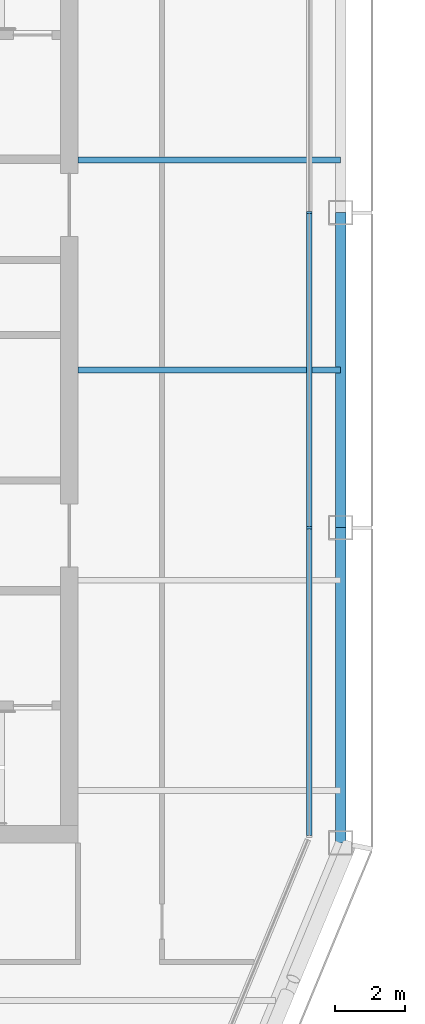
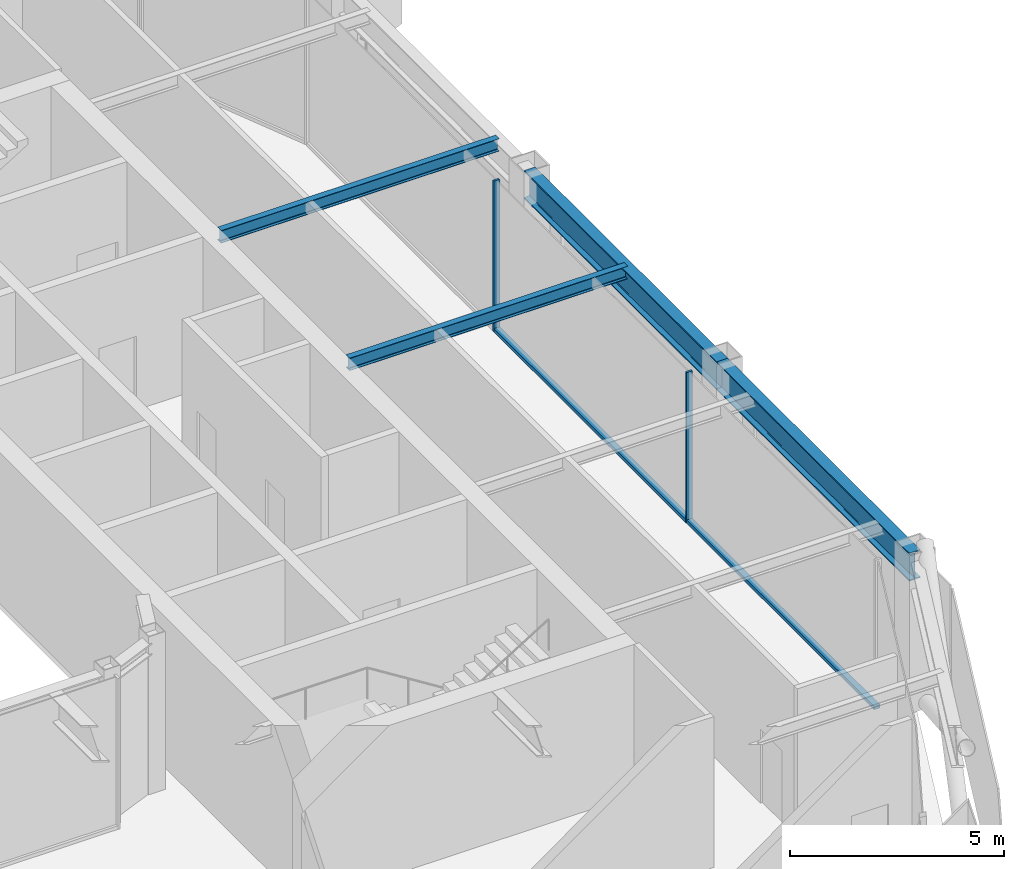
# One storey, part 6 of 21: 4 beams, 4 members, 1 element without a shape of its own.
"""IFC4 building model written with IfcOpenShell, lengths in metres."""

from ifc_helpers import new_model, si_unit, direction, frame, origin, origin_2d, place, context, subcontext, project, spatial, rectangle, i_section, extrude, material, layer, layer_set, material_profile, profile_set, type_object, element, aggregate, save


model = new_model("IFC4")

# Units and contexts
model_context = context("Model", 3, precision=1e-05, world=origin(), true_north=direction((0.0, 1.0)))
body_context = subcontext(model_context, "Body", "Model", "MODEL_VIEW")
ifc_project = project(units=[si_unit("LENGTHUNIT", "METRE"), si_unit("AREAUNIT", "SQUARE_METRE"), si_unit("VOLUMEUNIT", "CUBIC_METRE"), si_unit("PLANEANGLEUNIT", "RADIAN"), si_unit("MASSUNIT", "GRAM", prefix="KILO")], contexts=[model_context])

# Site, building, storey
site_placement = place(None, origin())
site = spatial("IfcSite", under=ifc_project, at=site_placement, CompositionType="ELEMENT")
building_placement = place(site_placement, origin())
building = spatial("IfcBuilding", under=site, at=building_placement, Name="Siwar Civic Tower", CompositionType="ELEMENT")
storey_placement = place(building_placement, frame((0.0, 0.0, 343.699951171875)))
storey = spatial("IfcBuildingStorey", under=building, at=storey_placement, Name="L74", CompositionType="ELEMENT", Elevation=343.699951171875)

# Curtain wall, members
ifc_material_1 = material(Name="Aluminium and glass", Category="aluminium")
ifc_layer = layer(ifc_material_1, 0.159912109375)
ifc_layer_set = layer_set([ifc_layer], Name="Aluminium and glass")
curtain_wall_type = type_object("IfcCurtainWallType", Name="ENV-CW-D", PredefinedType="NOTDEFINED", material=ifc_layer_set)
curtain_wall_placement = place(storey_placement, origin())
curtain_wall = element("IfcCurtainWall", 1, at=curtain_wall_placement, inside=storey, type_object=curtain_wall_type, Name="Curtain wall D E", PredefinedType="NOTDEFINED")
ifc_material_2 = material(Name="Aluminium 6063-T6", Category="aluminium")
ifc_material_profile_1 = material_profile(ifc_material_2, rectangle(XDim=0.159912109375, YDim=0.06005859375, at=origin_2d()), Name="AL 160x60")
ifc_profile_set_1 = profile_set([ifc_material_profile_1], Name="Aluminium 6063-T6")
member_type_1 = type_object("IfcMemberType", Name="ENV-MULLION-D", PredefinedType="MULLION", material=ifc_profile_set_1)
member_1_placement = place(storey_placement, frame((23.85009765625, -4.5, 0.0), z_axis=(0.0, 0.0, 1.0), x_axis=(-1.0, 0.0, 0.0)))
member_1 = element("IfcMember", 2, at=member_1_placement, type_object=member_type_1, Name="Mullion D E 2", PredefinedType="MULLION", context=body_context, shape_type="SweptSolid", body=[
    extrude(rectangle(XDim=0.159912109375, YDim=0.06005859375, at=origin_2d()), origin(), (0.0, 0.0, 1.0), 4.300048828125),
])
member_2_placement = place(storey_placement, frame((23.85009765625, 4.5, 0.0), z_axis=(0.0, 0.0, 1.0), x_axis=(-1.0, 0.0, 0.0)))
member_2 = element("IfcMember", 3, at=member_2_placement, type_object=member_type_1, Name="Mullion D E 3", PredefinedType="MULLION", context=body_context, shape_type="SweptSolid", body=[
    extrude(rectangle(XDim=0.159912109375, YDim=0.06005859375, at=origin_2d()), origin(), (0.0, 0.0, 1.0), 4.300048828125),
])
ifc_material_3 = material(Name="Aluminium 6063-T6", Category="aluminium")
ifc_material_profile_2 = material_profile(ifc_material_3, rectangle(XDim=0.159912109375, YDim=0.10009765625, at=origin_2d()), Name="AL 160x100")
ifc_profile_set_2 = profile_set([ifc_material_profile_2], Name="Aluminium 6063-T6")
member_type_2 = type_object("IfcMemberType", Name="ENV-TRANSOM-D", PredefinedType="USERDEFINED", material=ifc_profile_set_2)
member_3_placement = place(storey_placement, frame((23.85009765625, -13.291015625, 0.050048828125), z_axis=(0.0, 1.0, 0.0), x_axis=(-1.0, 0.0, 0.0)))
member_3 = element("IfcMember", 4, at=member_3_placement, type_object=member_type_2, Name="Transom D E 1", ObjectType="TRANSOM", PredefinedType="USERDEFINED", context=body_context, shape_type="SweptSolid", body=[
    extrude(rectangle(XDim=0.159912109375, YDim=0.10009765625, at=origin_2d()), origin(), (0.0, 0.0, 1.0), 8.760986328125),
])
member_4_placement = place(storey_placement, frame((23.85009765625, -4.469970703125, 0.050048828125), z_axis=(0.0, 1.0, 0.0), x_axis=(-1.0, 0.0, 0.0)))
member_4 = element("IfcMember", 5, at=member_4_placement, type_object=member_type_2, Name="Transom D E 2", ObjectType="TRANSOM", PredefinedType="USERDEFINED", context=body_context, shape_type="SweptSolid", body=[
    extrude(rectangle(XDim=0.159912109375, YDim=0.10009765625, at=origin_2d()), origin(), (0.0, 0.0, 1.0), 8.93994140625),
])
aggregate(curtain_wall, [member_1, member_2, member_3, member_4])

# Beams
ifc_material_4 = material(Name="Steel S355", Category="steel")
ifc_material_profile_3 = material_profile(ifc_material_4, i_section(OverallWidth=0.169921875, OverallDepth=0.360107421875, WebThickness=0.008056640625, FlangeThickness=0.0126953125, FilletRadius=0.01806640625, at=origin_2d()), Name="IPE360")
ifc_profile_set_3 = profile_set([ifc_material_profile_3], Name="Steel S355")
beam_type_1 = type_object("IfcBeamType", Name="STR-FB-IPE360", PredefinedType="JOIST", material=ifc_profile_set_3)
for number, where, z_axis, x_axis, name in (
    (6, (17.25, 0.0, 4.1201171875), (1.0, 0.0, 0.0), (0.0, 1.0, 0.0), "L74/bm/F019"),
    (7, (17.25, 6.0, 4.1201171875), (1.0, 0.0, 0.0), (0.0, 1.0, 0.0), "L74/bm/F021"),
):
    element("IfcBeam", number, at=place(storey_placement, frame(where, z_axis=z_axis, x_axis=x_axis)), inside=storey, type_object=beam_type_1, Name=name, PredefinedType="JOIST", context=body_context, shape_type="SweptSolid", body=[
        extrude(i_section(OverallWidth=0.169921875, OverallDepth=0.360107421875, WebThickness=0.008056640625, FlangeThickness=0.0126953125, FilletRadius=0.01806640625, at=origin_2d()), origin(), (0.0, 0.0, 1.0), 7.5),
    ])
ifc_material_5 = material(Name="Steel S355", Category="steel")
ifc_material_profile_4 = material_profile(ifc_material_5, i_section(OverallWidth=0.300048828125, OverallDepth=0.800048828125, WebThickness=0.017578125, FlangeThickness=0.032958984375, FilletRadius=0.030029296875, at=origin_2d()), Name="HEB800")
ifc_profile_set_4 = profile_set([ifc_material_profile_4], Name="Steel S355")
beam_type_2 = type_object("IfcBeamType", Name="STR-SB-HEB800", PredefinedType="BEAM", material=ifc_profile_set_4)
for number, where, z_axis, x_axis, name in (
    (8, (24.75, -13.5, 3.900146484375), (0.0, 1.0, 0.0), (-1.0, 0.0, 0.0), "L74/bm/SE-0"),
    (9, (24.75, -4.5, 3.900146484375), (0.0, 1.0, 0.0), (-1.0, 0.0, 0.0), "L74/bm/SE-1"),
):
    element("IfcBeam", number, at=place(storey_placement, frame(where, z_axis=z_axis, x_axis=x_axis)), inside=storey, type_object=beam_type_2, Name=name, PredefinedType="BEAM", context=body_context, shape_type="SweptSolid", body=[
        extrude(i_section(OverallWidth=0.300048828125, OverallDepth=0.800048828125, WebThickness=0.017578125, FlangeThickness=0.032958984375, FilletRadius=0.030029296875, at=origin_2d()), origin(), (0.0, 0.0, 1.0), 9.0),
    ])

save(model, "model.ifc")
